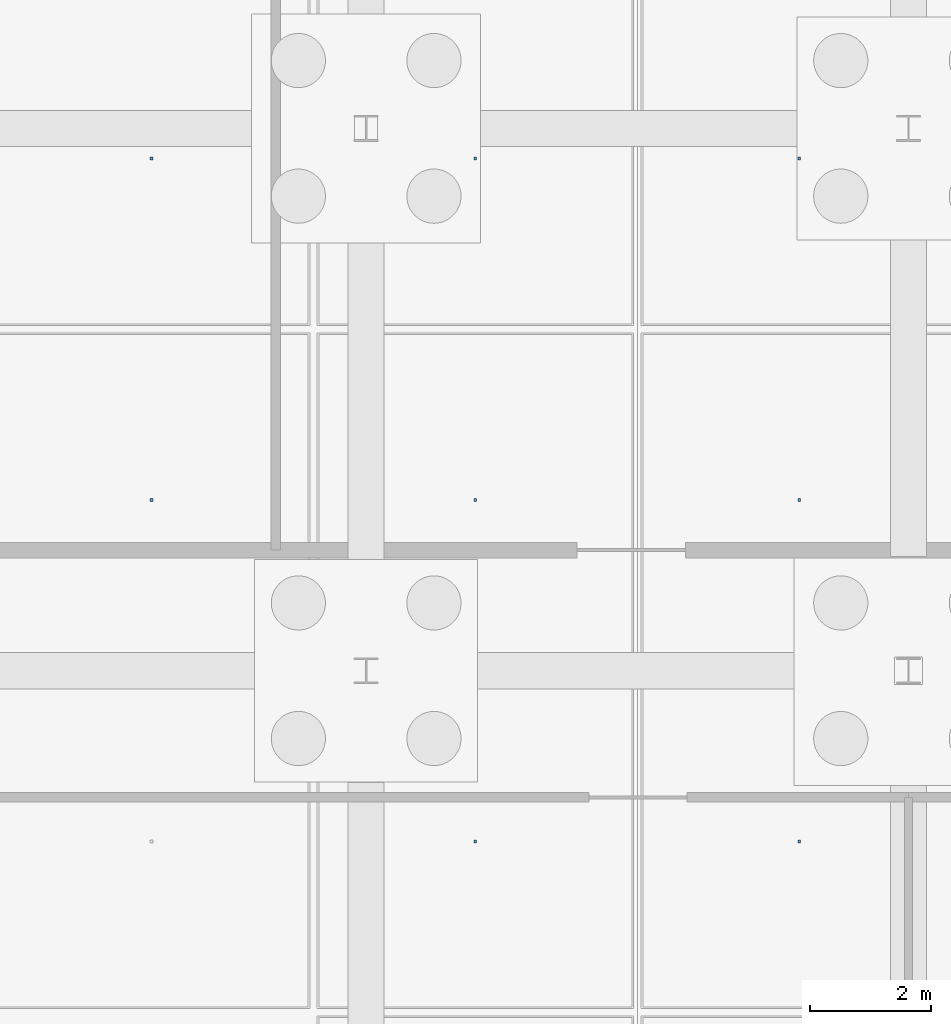
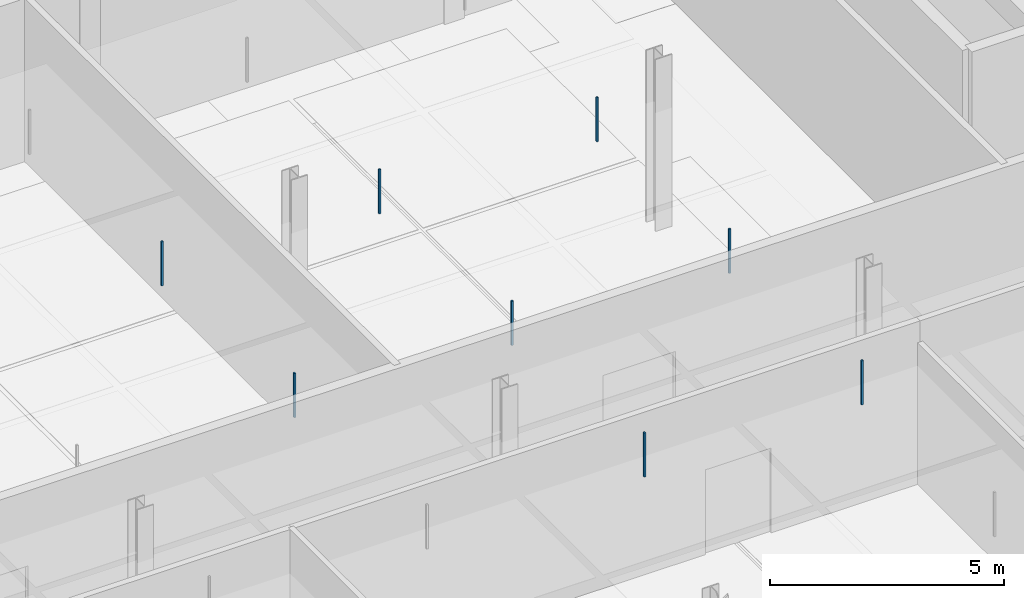
# One storey, part 30 of 48: 8 discrete accessories.
"""IFC4 building model written with IfcOpenShell, lengths in metres."""

from ifc_helpers import new_model, si_unit, direction, frame, origin, origin_2d, place, context, subcontext, project, spatial, rectangle, extrude, material, type_object, element, save


model = new_model("IFC4")

# Units and contexts
model_context = context("Model", 3, precision=1e-05, world=origin(), true_north=direction((0.0, 1.0)))
body_context = subcontext(model_context, "Body", "Model", "MODEL_VIEW")
ifc_project = project(units=[si_unit("LENGTHUNIT", "METRE"), si_unit("AREAUNIT", "SQUARE_METRE"), si_unit("VOLUMEUNIT", "CUBIC_METRE"), si_unit("PLANEANGLEUNIT", "RADIAN"), si_unit("MASSUNIT", "GRAM", prefix="KILO"), si_unit("THERMODYNAMICTEMPERATUREUNIT", "KELVIN"), si_unit("POWERUNIT", "WATT")], contexts=[model_context])

# Site, building, storey
site_placement = place(None, origin())
site = spatial("IfcSite", under=ifc_project, at=site_placement, CompositionType="ELEMENT")
building_placement = place(site_placement, origin())
building = spatial("IfcBuilding", under=site, at=building_placement, Name="Tallowbark Science Centre", CompositionType="ELEMENT")
storey_placement = place(building_placement, frame((0.0, 0.0, -4.5)))
storey = spatial("IfcBuildingStorey", under=building, at=storey_placement, Name="B1", CompositionType="ELEMENT", Elevation=-4.5)

# Discrete accessories
ifc_material = material(Name="Galvanised Steel Grade C350L0 (350 MPa)", Category="steel")
discrete_accessory_type = type_object("IfcDiscreteAccessoryType", Name="ACC-CLG-HNG", PredefinedType="BRACKET", material=ifc_material)
for number, where, z_axis, x_axis, name in (
    (1, (72.9375, 25.333251953125, 3.10595703125), (0.0, 0.0, 1.0), (1.0, 0.0, 0.0), "Ceiling Hanger Bracket B1-10"),
    (2, (72.9375, 31.0, 3.10595703125), (0.0, 0.0, 1.0), (1.0, 0.0, 0.0), "Ceiling Hanger Bracket B1-11"),
    (3, (78.3125, 19.666748046875, 3.10595703125), (0.0, 0.0, 1.0), (1.0, 0.0, 0.0), "Ceiling Hanger Bracket B1-15"),
    (4, (78.3125, 25.333251953125, 3.10595703125), (0.0, 0.0, 1.0), (1.0, 0.0, 0.0), "Ceiling Hanger Bracket B1-16"),
    (5, (78.3125, 31.0, 3.10595703125), (0.0, 0.0, 1.0), (1.0, 0.0, 0.0), "Ceiling Hanger Bracket B1-17"),
    (6, (83.6875, 19.666748046875, 3.10595703125), (0.0, 0.0, 1.0), (1.0, 0.0, 0.0), "Ceiling Hanger Bracket B1-21"),
    (7, (83.6875, 25.333251953125, 3.10595703125), (0.0, 0.0, 1.0), (1.0, 0.0, 0.0), "Ceiling Hanger Bracket B1-22"),
    (8, (83.6875, 31.0, 3.10595703125), (0.0, 0.0, 1.0), (1.0, 0.0, 0.0), "Ceiling Hanger Bracket B1-23"),
):
    element("IfcDiscreteAccessory", number, at=place(storey_placement, frame(where, z_axis=z_axis, x_axis=x_axis)), inside=storey, type_object=discrete_accessory_type, Name=name, PredefinedType="BRACKET", context=body_context, shape_type="SweptSolid", body=[
        extrude(rectangle(XDim=0.044921875, YDim=0.044921875, at=origin_2d()), origin(), (0.0, 0.0, 1.0), 1.156982421875),
    ])

save(model, "model.ifc")
